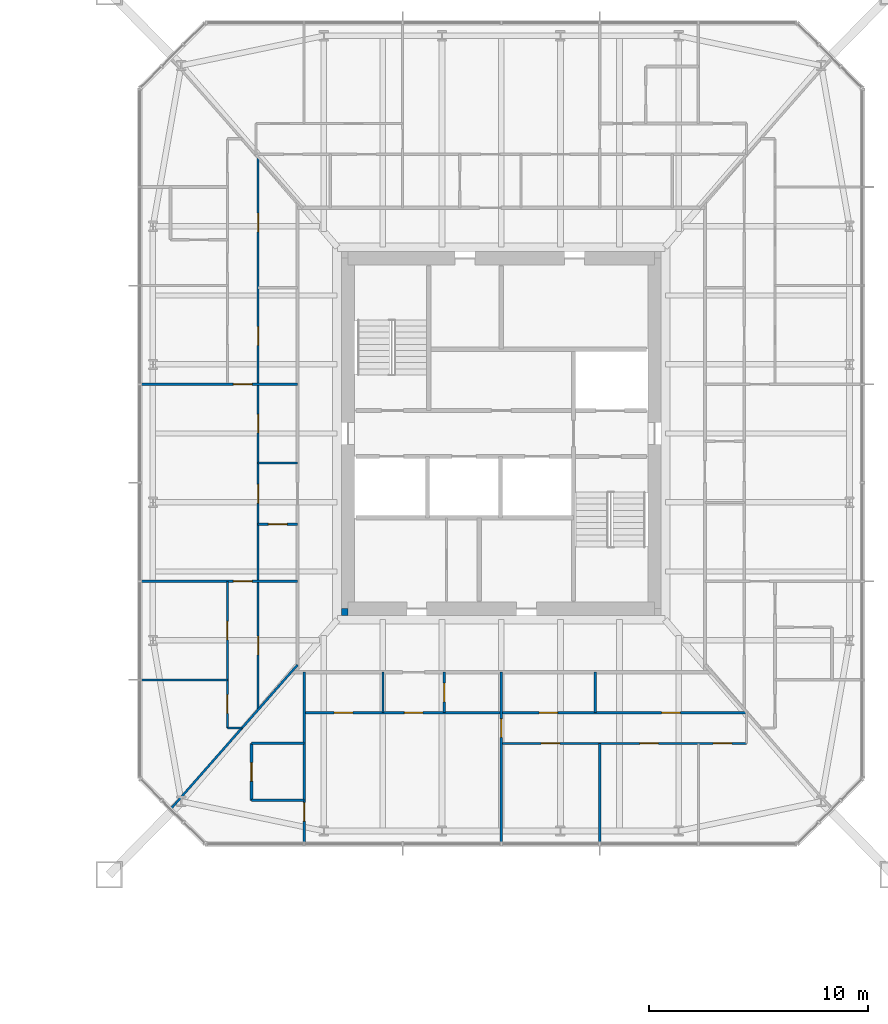
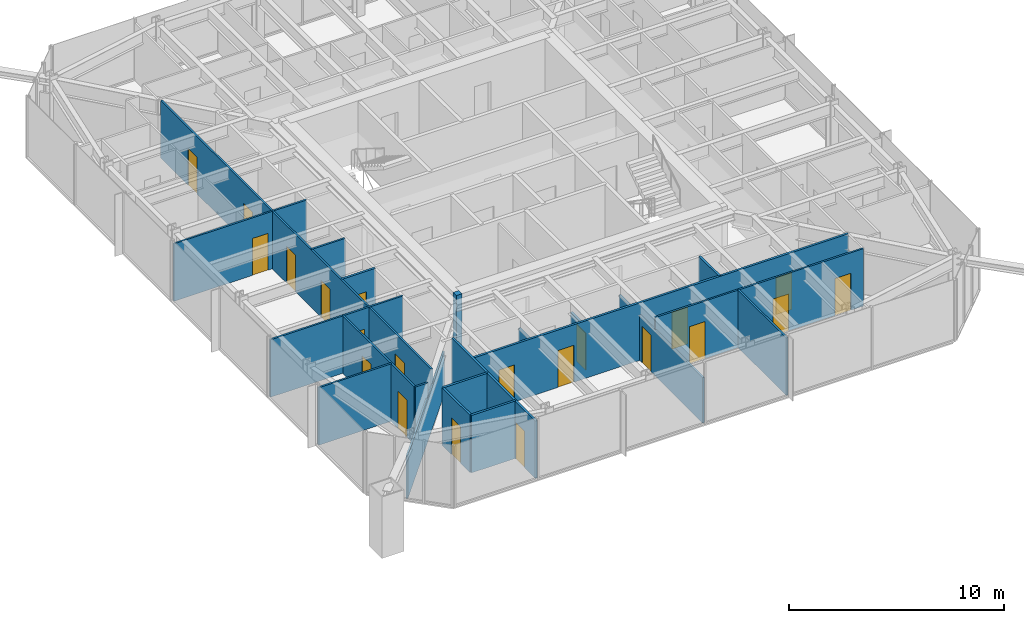
# One storey, part 18 of 26: 21 doors, 21 walls, 21 openings.
"""IFC4 building model written with IfcOpenShell, lengths in metres."""

from ifc_helpers import new_model, si_unit, direction, frame, frame_2d, origin, place, context, subcontext, project, spatial, rectangle, extrude, material, layer, layer_set, type_object, element, fill, save


model = new_model("IFC4")

# Units and contexts
model_context = context("Model", 3, precision=1e-05, world=origin(), true_north=direction((0.0, 1.0)))
body_context = subcontext(model_context, "Body", "Model", "MODEL_VIEW")
ifc_project = project(units=[si_unit("LENGTHUNIT", "METRE"), si_unit("AREAUNIT", "SQUARE_METRE"), si_unit("VOLUMEUNIT", "CUBIC_METRE"), si_unit("PLANEANGLEUNIT", "RADIAN"), si_unit("MASSUNIT", "GRAM", prefix="KILO")], contexts=[model_context])

# Site, building, storey
site_placement = place(None, origin())
site = spatial("IfcSite", under=ifc_project, at=site_placement, CompositionType="ELEMENT")
building_placement = place(site_placement, origin())
building = spatial("IfcBuilding", under=site, at=building_placement, Name="Iwan Alto Co-Living Towers", CompositionType="ELEMENT")
storey_placement = place(building_placement, frame((0.0, 0.0, 18.5)))
storey = spatial("IfcBuildingStorey", under=building, at=storey_placement, Name="L04", CompositionType="ELEMENT", Elevation=18.5)

# Wall, openings, doors
ifc_material_1 = material(Name="Gypsum board")
ifc_layer_1 = layer(ifc_material_1, 0.012451171875, Name="Board", Category="Finish")
ifc_material_2 = material(Name="Steel ASTM A1003 ST33H cold-formed studs", Category="steel")
ifc_layer_2 = layer(ifc_material_2, 0.074951171875, Name="Studs", Category="Framing")
ifc_layer_3 = layer(ifc_material_1, 0.012451171875, Name="Board", Category="Finish")
ifc_layer_set_1 = layer_set([ifc_layer_1, ifc_layer_2, ifc_layer_3], Name="PARTITION 100")
wall_type_1 = type_object("IfcWallType", Name="PARTITION 100", PredefinedType="PARTITIONING", material=ifc_layer_set_1)
wall_1_placement = place(storey_placement, frame((63.0, -14.14990234375, 0.0), z_axis=(0.0, 0.0, 1.0), x_axis=(1.0, 0.0, 0.0)))
wall_1 = element("IfcWall", 1, at=wall_1_placement, inside=storey, type_object=wall_type_1, Name="Partition L04", PredefinedType="PARTITIONING", context=body_context, shape_type="SweptSolid", body=[
    extrude(rectangle(XDim=11.199951171875, YDim=0.10009765625, at=frame_2d((5.60009765625, 0.0))), origin(), (0.0, 0.0, 1.0), 3.27001953125),
])
opening_1_placement = place(wall_1_placement, frame((1.824951171875, 0.0, 0.0)))
opening_1 = element("IfcOpeningElement", 2, at=opening_1_placement, cuts=wall_1, Name="Opening D2", PredefinedType="OPENING", context=body_context, shape_type="SweptSolid", body=[
    extrude(rectangle(XDim=0.85009765625, YDim=2.10009765625, at=frame_2d((0.425048828125, 1.050048828125))), frame((0.0, 0.06005859375, 0.0), z_axis=(0.0, -1.0, 0.0), x_axis=(1.0, 0.0, 0.0)), (0.0, 0.0, 1.0), 0.1201171875),
])
opening_2_placement = place(wall_1_placement, frame((6.324951171875, 0.0, 0.0)))
opening_2 = element("IfcOpeningElement", 3, at=opening_2_placement, cuts=wall_1, Name="Opening D2", PredefinedType="OPENING", context=body_context, shape_type="SweptSolid", body=[
    extrude(rectangle(XDim=0.85009765625, YDim=2.10009765625, at=frame_2d((0.425048828125, 1.050048828125))), frame((0.0, 0.06005859375, 0.0), z_axis=(0.0, -1.0, 0.0), x_axis=(1.0, 0.0, 0.0)), (0.0, 0.0, 1.0), 0.1201171875),
])
opening_3_placement = place(wall_1_placement, frame((9.675048828125, 0.0, 0.0)))
opening_3 = element("IfcOpeningElement", 4, at=opening_3_placement, cuts=wall_1, Name="Opening D2", PredefinedType="OPENING", context=body_context, shape_type="SweptSolid", body=[
    extrude(rectangle(XDim=0.85009765625, YDim=2.10009765625, at=frame_2d((0.425048828125, 1.050048828125))), frame((0.0, 0.06005859375, 0.0), z_axis=(0.0, -1.0, 0.0), x_axis=(1.0, 0.0, 0.0)), (0.0, 0.0, 1.0), 0.1201171875),
])
ifc_material_3 = material(Name="Timber leaf in steel frame", Category="steel")
door_type = type_object("IfcDoorType", Name="ROOM DOOR 850X2100", OperationType="SINGLE_SWING_LEFT", PredefinedType="DOOR", material=ifc_material_3)
door_1_placement = place(opening_1_placement, frame((0.85009765625, 0.0, 0.0), z_axis=(0.0, 0.0, 1.0), x_axis=(-1.0, 0.0, 0.0)))
door_1 = element("IfcDoor", 5, at=door_1_placement, inside=storey, type_object=door_type, Name="Bedroom door L04", OperationType="SINGLE_SWING_RIGHT", OverallHeight=2.10009765625, OverallWidth=0.85009765625, PredefinedType="DOOR", context=body_context, shape_type="SweptSolid", body=[
    extrude(rectangle(XDim=0.85009765625, YDim=2.10009765625, at=frame_2d((0.425048828125, 1.050048828125))), frame((0.0, 0.02490234375, 0.0), z_axis=(0.0, -1.0, 0.0), x_axis=(1.0, 0.0, 0.0)), (0.0, 0.0, 1.0), 0.050048828125),
])
fill(opening_1, door_1)
door_2_placement = place(opening_2_placement, frame((0.85009765625, 0.0, 0.0), z_axis=(0.0, 0.0, 1.0), x_axis=(-1.0, 0.0, 0.0)))
door_2 = element("IfcDoor", 6, at=door_2_placement, inside=storey, type_object=door_type, Name="Study door L04", OperationType="SINGLE_SWING_RIGHT", OverallHeight=2.10009765625, OverallWidth=0.85009765625, PredefinedType="DOOR", context=body_context, shape_type="SweptSolid", body=[
    extrude(rectangle(XDim=0.85009765625, YDim=2.10009765625, at=frame_2d((0.425048828125, 1.050048828125))), frame((0.0, 0.02490234375, 0.0), z_axis=(0.0, -1.0, 0.0), x_axis=(1.0, 0.0, 0.0)), (0.0, 0.0, 1.0), 0.050048828125),
])
fill(opening_2, door_2)
door_3_placement = place(opening_3_placement, frame((0.85009765625, 0.0, 0.0), z_axis=(0.0, 0.0, 1.0), x_axis=(-1.0, 0.0, 0.0)))
door_3 = element("IfcDoor", 7, at=door_3_placement, inside=storey, type_object=door_type, Name="Bedroom door L04", OperationType="SINGLE_SWING_RIGHT", OverallHeight=2.10009765625, OverallWidth=0.85009765625, PredefinedType="DOOR", context=body_context, shape_type="SweptSolid", body=[
    extrude(rectangle(XDim=0.85009765625, YDim=2.10009765625, at=frame_2d((0.425048828125, 1.050048828125))), frame((0.0, 0.02490234375, 0.0), z_axis=(0.0, -1.0, 0.0), x_axis=(1.0, 0.0, 0.0)), (0.0, 0.0, 1.0), 0.050048828125),
])
fill(opening_3, door_3)

# Walls
wall_2_placement = place(storey_placement, frame((50.5, -13.449951171875, 0.0), z_axis=(0.0, 0.0, 1.0), x_axis=(1.0, 0.0, 0.0)))
element("IfcWall", 8, at=wall_2_placement, inside=storey, type_object=wall_type_1, Name="Partition L04", PredefinedType="PARTITIONING", context=body_context, shape_type="SweptSolid", body=[
    extrude(rectangle(XDim=0.6640625, YDim=0.10009765625, at=frame_2d((0.33203125, 0.0))), origin(), (0.0, 0.0, 1.0), 3.27001953125),
])
wall_3_placement = place(storey_placement, frame((46.56005859375, -11.25, 0.0), z_axis=(0.0, 0.0, 1.0), x_axis=(1.0, 0.0, 0.0)))
element("IfcWall", 9, at=wall_3_placement, inside=storey, type_object=wall_type_1, Name="Partition L04", PredefinedType="PARTITIONING", context=body_context, shape_type="SweptSolid", body=[
    extrude(rectangle(XDim=3.93994140625, YDim=0.10009765625, at=frame_2d((1.969970703125, 0.0))), origin(), (0.0, 0.0, 1.0), 3.27001953125),
])

# Wall, opening, door
wall_4_placement = place(storey_placement, frame((46.56005859375, -6.75, 0.0), z_axis=(0.0, 0.0, 1.0), x_axis=(1.0, 0.0, 0.0)))
wall_4 = element("IfcWall", 10, at=wall_4_placement, inside=storey, type_object=wall_type_1, Name="Partition L04", PredefinedType="PARTITIONING", context=body_context, shape_type="SweptSolid", body=[
    extrude(rectangle(XDim=7.139892578125, YDim=0.10009765625, at=frame_2d((3.56982421875, 0.0))), origin(), (0.0, 0.0, 1.0), 3.27001953125),
])
opening_4_placement = place(wall_4_placement, frame((4.215087890625, 0.0, 0.0)))
opening_4 = element("IfcOpeningElement", 11, at=opening_4_placement, cuts=wall_4, Name="Opening D2", PredefinedType="OPENING", context=body_context, shape_type="SweptSolid", body=[
    extrude(rectangle(XDim=0.85009765625, YDim=2.10009765625, at=frame_2d((0.425048828125, 1.050048828125))), frame((0.0, 0.06005859375, 0.0), z_axis=(0.0, -1.0, 0.0), x_axis=(1.0, 0.0, 0.0)), (0.0, 0.0, 1.0), 0.1201171875),
])
door_4_placement = place(opening_4_placement, origin())
door_4 = element("IfcDoor", 12, at=door_4_placement, inside=storey, type_object=door_type, Name="Apartment hall door L04", OperationType="SINGLE_SWING_RIGHT", OverallHeight=2.10009765625, OverallWidth=0.85009765625, PredefinedType="DOOR", context=body_context, shape_type="SweptSolid", body=[
    extrude(rectangle(XDim=0.85009765625, YDim=2.10009765625, at=frame_2d((0.425048828125, 1.050048828125))), frame((0.0, 0.02490234375, 0.0), z_axis=(0.0, -1.0, 0.0), x_axis=(1.0, 0.0, 0.0)), (0.0, 0.0, 1.0), 0.050048828125),
])
fill(opening_4, door_4)

# Wall
wall_5_placement = place(storey_placement, frame((51.89990234375, -1.35009765625, 0.0), z_axis=(0.0, 0.0, 1.0), x_axis=(1.0, 0.0, 0.0)))
element("IfcWall", 13, at=wall_5_placement, inside=storey, type_object=wall_type_1, Name="Partition L04", PredefinedType="PARTITIONING", context=body_context, shape_type="SweptSolid", body=[
    extrude(rectangle(XDim=1.800048828125, YDim=0.10009765625, at=frame_2d((0.89990234375, 0.0))), origin(), (0.0, 0.0, 1.0), 3.27001953125),
])

# Wall, opening, door
wall_6_placement = place(storey_placement, frame((46.56005859375, 2.25, 0.0), z_axis=(0.0, 0.0, 1.0), x_axis=(1.0, 0.0, 0.0)))
wall_6 = element("IfcWall", 14, at=wall_6_placement, inside=storey, type_object=wall_type_1, Name="Partition L04", PredefinedType="PARTITIONING", context=body_context, shape_type="SweptSolid", body=[
    extrude(rectangle(XDim=7.139892578125, YDim=0.10009765625, at=frame_2d((3.56982421875, 0.0))), origin(), (0.0, 0.0, 1.0), 3.27001953125),
])
opening_5_placement = place(wall_6_placement, frame((4.215087890625, 0.0, 0.0)))
opening_5 = element("IfcOpeningElement", 15, at=opening_5_placement, cuts=wall_6, Name="Opening D2", PredefinedType="OPENING", context=body_context, shape_type="SweptSolid", body=[
    extrude(rectangle(XDim=0.85009765625, YDim=2.10009765625, at=frame_2d((0.425048828125, 1.050048828125))), frame((0.0, 0.06005859375, 0.0), z_axis=(0.0, -1.0, 0.0), x_axis=(1.0, 0.0, 0.0)), (0.0, 0.0, 1.0), 0.1201171875),
])
door_5_placement = place(opening_5_placement, frame((0.85009765625, 0.0, 0.0), z_axis=(0.0, 0.0, 1.0), x_axis=(-1.0, 0.0, 0.0)))
door_5 = element("IfcDoor", 16, at=door_5_placement, inside=storey, type_object=door_type, Name="Apartment hall door L04", OperationType="SINGLE_SWING_LEFT", OverallHeight=2.10009765625, OverallWidth=0.85009765625, PredefinedType="DOOR", context=body_context, shape_type="SweptSolid", body=[
    extrude(rectangle(XDim=0.85009765625, YDim=2.10009765625, at=frame_2d((0.425048828125, 1.050048828125))), frame((0.0, 0.02490234375, 0.0), z_axis=(0.0, -1.0, 0.0), x_axis=(1.0, 0.0, 0.0)), (0.0, 0.0, 1.0), 0.050048828125),
])
fill(opening_5, door_5)

# Walls
wall_7_placement = place(storey_placement, frame((47.944091796875, -17.10888671875, 0.0), z_axis=(0.0, 0.0, 1.0), x_axis=(0.660612734851, 0.750726857487, 0.0)))
element("IfcWall", 17, at=wall_7_placement, inside=storey, type_object=wall_type_1, Name="Partition L04", PredefinedType="PARTITIONING", context=body_context, shape_type="SweptSolid", body=[
    extrude(rectangle(XDim=8.712890625, YDim=0.10009765625, at=frame_2d((4.3564453125, 0.0))), origin(), (0.0, 0.0, 1.0), 2.42919921875),
])
wall_8_placement = place(storey_placement, frame((67.5, -18.68994140625, 0.0), z_axis=(0.0, 0.0, 1.0), x_axis=(0.0, 1.0, 0.0)))
element("IfcWall", 18, at=wall_8_placement, inside=storey, type_object=wall_type_1, Name="Partition L04", PredefinedType="PARTITIONING", context=body_context, shape_type="SweptSolid", body=[
    extrude(rectangle(XDim=4.5400390625, YDim=0.10009765625, at=frame_2d((2.27001953125, 0.0))), origin(), (0.0, 0.0, 1.0), 3.27001953125),
])

# Wall, opening, door
wall_9_placement = place(storey_placement, frame((63.0, -18.68994140625, 0.0), z_axis=(0.0, 0.0, 1.0), x_axis=(0.0, 1.0, 0.0)))
wall_9 = element("IfcWall", 19, at=wall_9_placement, inside=storey, type_object=wall_type_1, Name="Partition L04", PredefinedType="PARTITIONING", context=body_context, shape_type="SweptSolid", body=[
    extrude(rectangle(XDim=7.7900390625, YDim=0.10009765625, at=frame_2d((3.89501953125, 0.0))), origin(), (0.0, 0.0, 1.0), 2.586669921875),
])
opening_6_placement = place(wall_9_placement, frame((4.81494140625, 0.0, 0.0)))
opening_6 = element("IfcOpeningElement", 20, at=opening_6_placement, cuts=wall_9, Name="Opening D2", PredefinedType="OPENING", context=body_context, shape_type="SweptSolid", body=[
    extrude(rectangle(XDim=0.85009765625, YDim=2.10009765625, at=frame_2d((0.425048828125, 1.050048828125))), frame((0.0, 0.06005859375, 0.0), z_axis=(0.0, -1.0, 0.0), x_axis=(1.0, 0.0, 0.0)), (0.0, 0.0, 1.0), 0.1201171875),
])
door_6_placement = place(opening_6_placement, origin())
door_6 = element("IfcDoor", 21, at=door_6_placement, inside=storey, type_object=door_type, Name="Apartment hall door L04", OperationType="SINGLE_SWING_RIGHT", OverallHeight=2.10009765625, OverallWidth=0.85009765625, PredefinedType="DOOR", context=body_context, shape_type="SweptSolid", body=[
    extrude(rectangle(XDim=0.85009765625, YDim=2.10009765625, at=frame_2d((0.425048828125, 1.050048828125))), frame((0.0, 0.02490234375, 0.0), z_axis=(0.0, -1.0, 0.0), x_axis=(1.0, 0.0, 0.0)), (0.0, 0.0, 1.0), 0.050048828125),
])
fill(opening_6, door_6)

# Wall
wall_10_placement = place(storey_placement, frame((57.60009765625, -12.75, 0.0), z_axis=(0.0, 0.0, 1.0), x_axis=(0.0, 1.0, 0.0)))
element("IfcWall", 22, at=wall_10_placement, inside=storey, type_object=wall_type_1, Name="Partition L04", PredefinedType="PARTITIONING", context=body_context, shape_type="SweptSolid", body=[
    extrude(rectangle(XDim=1.85009765625, YDim=0.10009765625, at=frame_2d((0.925048828125, 0.0))), origin(), (0.0, 0.0, 1.0), 2.586669921875),
])

# Wall, openings, doors
wall_11_placement = place(storey_placement, frame((51.89990234375, -12.614013671875, 0.0), z_axis=(0.0, 0.0, 1.0), x_axis=(0.0, 1.0, 0.0)))
wall_11 = element("IfcWall", 23, at=wall_11_placement, inside=storey, type_object=wall_type_1, Name="Partition L04", PredefinedType="PARTITIONING", context=body_context, shape_type="SweptSolid", body=[
    extrude(rectangle(XDim=25.22802734375, YDim=0.10009765625, at=frame_2d((12.614013671875, 0.0))), origin(), (0.0, 0.0, 1.0), 3.27001953125),
])
opening_7_placement = place(wall_11_placement, frame((12.638916015625, 0.0, 0.0)))
opening_7 = element("IfcOpeningElement", 24, at=opening_7_placement, cuts=wall_11, Name="Opening D2", PredefinedType="OPENING", context=body_context, shape_type="SweptSolid", body=[
    extrude(rectangle(XDim=0.85009765625, YDim=2.10009765625, at=frame_2d((0.425048828125, 1.050048828125))), frame((0.0, 0.06005859375, 0.0), z_axis=(0.0, -1.0, 0.0), x_axis=(1.0, 0.0, 0.0)), (0.0, 0.0, 1.0), 0.1201171875),
])
opening_8_placement = place(wall_11_placement, frame((9.43896484375, 0.0, 0.0)))
opening_8 = element("IfcOpeningElement", 25, at=opening_8_placement, cuts=wall_11, Name="Opening D2", PredefinedType="OPENING", context=body_context, shape_type="SweptSolid", body=[
    extrude(rectangle(XDim=0.85009765625, YDim=2.10009765625, at=frame_2d((0.425048828125, 1.050048828125))), frame((0.0, 0.06005859375, 0.0), z_axis=(0.0, -1.0, 0.0), x_axis=(1.0, 0.0, 0.0)), (0.0, 0.0, 1.0), 0.1201171875),
])
opening_9_placement = place(wall_11_placement, frame((16.638916015625, 0.0, 0.0)))
opening_9 = element("IfcOpeningElement", 26, at=opening_9_placement, cuts=wall_11, Name="Opening D2", PredefinedType="OPENING", context=body_context, shape_type="SweptSolid", body=[
    extrude(rectangle(XDim=0.85009765625, YDim=2.10009765625, at=frame_2d((0.425048828125, 1.050048828125))), frame((0.0, 0.06005859375, 0.0), z_axis=(0.0, -1.0, 0.0), x_axis=(1.0, 0.0, 0.0)), (0.0, 0.0, 1.0), 0.1201171875),
])
opening_10_placement = place(wall_11_placement, frame((21.821044921875, 0.0, 0.0)))
opening_10 = element("IfcOpeningElement", 27, at=opening_10_placement, cuts=wall_11, Name="Opening D2", PredefinedType="OPENING", context=body_context, shape_type="SweptSolid", body=[
    extrude(rectangle(XDim=0.85009765625, YDim=2.10009765625, at=frame_2d((0.425048828125, 1.050048828125))), frame((0.0, 0.06005859375, 0.0), z_axis=(0.0, -1.0, 0.0), x_axis=(1.0, 0.0, 0.0)), (0.0, 0.0, 1.0), 0.1201171875),
])
opening_11_placement = place(wall_11_placement, frame((2.507080078125, 0.0, 0.0)))
opening_11 = element("IfcOpeningElement", 28, at=opening_11_placement, cuts=wall_11, Name="Opening D2", PredefinedType="OPENING", context=body_context, shape_type="SweptSolid", body=[
    extrude(rectangle(XDim=0.85009765625, YDim=2.10009765625, at=frame_2d((0.425048828125, 1.050048828125))), frame((0.0, 0.06005859375, 0.0), z_axis=(0.0, -1.0, 0.0), x_axis=(1.0, 0.0, 0.0)), (0.0, 0.0, 1.0), 0.1201171875),
])
door_7_placement = place(opening_7_placement, origin())
door_7 = element("IfcDoor", 29, at=door_7_placement, inside=storey, type_object=door_type, Name="Kitchen door L04", OperationType="SINGLE_SWING_RIGHT", OverallHeight=2.10009765625, OverallWidth=0.85009765625, PredefinedType="DOOR", context=body_context, shape_type="SweptSolid", body=[
    extrude(rectangle(XDim=0.85009765625, YDim=2.10009765625, at=frame_2d((0.425048828125, 1.050048828125))), frame((0.0, 0.02490234375, 0.0), z_axis=(0.0, -1.0, 0.0), x_axis=(1.0, 0.0, 0.0)), (0.0, 0.0, 1.0), 0.050048828125),
])
fill(opening_7, door_7)
door_8_placement = place(opening_8_placement, origin())
door_8 = element("IfcDoor", 30, at=door_8_placement, inside=storey, type_object=door_type, Name="Apartment foyer door L04", OperationType="SINGLE_SWING_LEFT", OverallHeight=2.10009765625, OverallWidth=0.85009765625, PredefinedType="DOOR", context=body_context, shape_type="SweptSolid", body=[
    extrude(rectangle(XDim=0.85009765625, YDim=2.10009765625, at=frame_2d((0.425048828125, 1.050048828125))), frame((0.0, 0.02490234375, 0.0), z_axis=(0.0, -1.0, 0.0), x_axis=(1.0, 0.0, 0.0)), (0.0, 0.0, 1.0), 0.050048828125),
])
fill(opening_8, door_8)
door_9_placement = place(opening_9_placement, frame((0.85009765625, 0.0, 0.0), z_axis=(0.0, 0.0, 1.0), x_axis=(-1.0, 0.0, 0.0)))
door_9 = element("IfcDoor", 31, at=door_9_placement, inside=storey, type_object=door_type, Name="Utility room door L04", OperationType="SINGLE_SWING_RIGHT", OverallHeight=2.10009765625, OverallWidth=0.85009765625, PredefinedType="DOOR", context=body_context, shape_type="SweptSolid", body=[
    extrude(rectangle(XDim=0.85009765625, YDim=2.10009765625, at=frame_2d((0.425048828125, 1.050048828125))), frame((0.0, 0.02490234375, 0.0), z_axis=(0.0, -1.0, 0.0), x_axis=(1.0, 0.0, 0.0)), (0.0, 0.0, 1.0), 0.050048828125),
])
fill(opening_9, door_9)
door_10_placement = place(opening_10_placement, frame((0.85009765625, 0.0, 0.0), z_axis=(0.0, 0.0, 1.0), x_axis=(-1.0, 0.0, 0.0)))
door_10 = element("IfcDoor", 32, at=door_10_placement, inside=storey, type_object=door_type, Name="Store room door L04", OperationType="SINGLE_SWING_LEFT", OverallHeight=2.10009765625, OverallWidth=0.85009765625, PredefinedType="DOOR", context=body_context, shape_type="SweptSolid", body=[
    extrude(rectangle(XDim=0.85009765625, YDim=2.10009765625, at=frame_2d((0.425048828125, 1.050048828125))), frame((0.0, 0.02490234375, 0.0), z_axis=(0.0, -1.0, 0.0), x_axis=(1.0, 0.0, 0.0)), (0.0, 0.0, 1.0), 0.050048828125),
])
fill(opening_10, door_10)
door_11_placement = place(opening_11_placement, frame((0.85009765625, 0.0, 0.0), z_axis=(0.0, 0.0, 1.0), x_axis=(-1.0, 0.0, 0.0)))
door_11 = element("IfcDoor", 33, at=door_11_placement, inside=storey, type_object=door_type, Name="Utility room door L04", OperationType="SINGLE_SWING_RIGHT", OverallHeight=2.10009765625, OverallWidth=0.85009765625, PredefinedType="DOOR", context=body_context, shape_type="SweptSolid", body=[
    extrude(rectangle(XDim=0.85009765625, YDim=2.10009765625, at=frame_2d((0.425048828125, 1.050048828125))), frame((0.0, 0.02490234375, 0.0), z_axis=(0.0, -1.0, 0.0), x_axis=(1.0, 0.0, 0.0)), (0.0, 0.0, 1.0), 0.050048828125),
])
fill(opening_11, door_11)

wall_12_placement = place(storey_placement, frame((50.5, -13.449951171875, 0.0), z_axis=(0.0, 0.0, 1.0), x_axis=(0.0, 1.0, 0.0)))
wall_12 = element("IfcWall", 34, at=wall_12_placement, inside=storey, type_object=wall_type_1, Name="Partition L04", PredefinedType="PARTITIONING", context=body_context, shape_type="SweptSolid", body=[
    extrude(rectangle(XDim=6.699951171875, YDim=0.10009765625, at=frame_2d((3.35009765625, 0.0))), origin(), (0.0, 0.0, 1.0), 3.27001953125),
])
opening_12_placement = place(wall_12_placement, frame((4.02490234375, 0.0, 0.0)))
opening_12 = element("IfcOpeningElement", 35, at=opening_12_placement, cuts=wall_12, Name="Opening D2", PredefinedType="OPENING", context=body_context, shape_type="SweptSolid", body=[
    extrude(rectangle(XDim=0.85009765625, YDim=2.10009765625, at=frame_2d((0.425048828125, 1.050048828125))), frame((0.0, 0.06005859375, 0.0), z_axis=(0.0, -1.0, 0.0), x_axis=(1.0, 0.0, 0.0)), (0.0, 0.0, 1.0), 0.1201171875),
])
opening_13_placement = place(wall_12_placement, frame((0.675048828125, 0.0, 0.0)))
opening_13 = element("IfcOpeningElement", 36, at=opening_13_placement, cuts=wall_12, Name="Opening D2", PredefinedType="OPENING", context=body_context, shape_type="SweptSolid", body=[
    extrude(rectangle(XDim=0.85009765625, YDim=2.10009765625, at=frame_2d((0.425048828125, 1.050048828125))), frame((0.0, 0.06005859375, 0.0), z_axis=(0.0, -1.0, 0.0), x_axis=(1.0, 0.0, 0.0)), (0.0, 0.0, 1.0), 0.1201171875),
])
door_12_placement = place(opening_12_placement, origin())
door_12 = element("IfcDoor", 37, at=door_12_placement, inside=storey, type_object=door_type, Name="Bedroom door L04", OperationType="SINGLE_SWING_LEFT", OverallHeight=2.10009765625, OverallWidth=0.85009765625, PredefinedType="DOOR", context=body_context, shape_type="SweptSolid", body=[
    extrude(rectangle(XDim=0.85009765625, YDim=2.10009765625, at=frame_2d((0.425048828125, 1.050048828125))), frame((0.0, 0.02490234375, 0.0), z_axis=(0.0, -1.0, 0.0), x_axis=(1.0, 0.0, 0.0)), (0.0, 0.0, 1.0), 0.050048828125),
])
fill(opening_12, door_12)
door_13_placement = place(opening_13_placement, origin())
door_13 = element("IfcDoor", 38, at=door_13_placement, inside=storey, type_object=door_type, Name="Bedroom door L04", OperationType="SINGLE_SWING_RIGHT", OverallHeight=2.10009765625, OverallWidth=0.85009765625, PredefinedType="DOOR", context=body_context, shape_type="SweptSolid", body=[
    extrude(rectangle(XDim=0.85009765625, YDim=2.10009765625, at=frame_2d((0.425048828125, 1.050048828125))), frame((0.0, 0.02490234375, 0.0), z_axis=(0.0, -1.0, 0.0), x_axis=(1.0, 0.0, 0.0)), (0.0, 0.0, 1.0), 0.050048828125),
])
fill(opening_13, door_13)

# Walls
ifc_material_4 = material(Name="Concrete f'c 70 MPa", Category="concrete")
ifc_layer_4 = layer(ifc_material_4, 0.300048828125)
ifc_layer_set_2 = layer_set([ifc_layer_4], Name="T2 CORE CORNER FILL 300")
wall_type_2 = type_object("IfcWallType", Name="T2 CORE CORNER FILL 300", PredefinedType="SOLIDWALL", material=ifc_layer_set_2)
wall_13_placement = place(storey_placement, frame((55.699951171875, -8.14990234375, 0.0), z_axis=(0.0, 0.0, 1.0), x_axis=(1.0, 0.0, 0.0)))
element("IfcWall", 39, at=wall_13_placement, inside=storey, type_object=wall_type_2, Name="T2 core corner SW L04", PredefinedType="SOLIDWALL", context=body_context, shape_type="SweptSolid", body=[
    extrude(rectangle(XDim=0.300048828125, YDim=0.300048828125, at=frame_2d((0.14990234375, 0.0))), origin(), (0.0, 0.0, 1.0), 3.5),
])
ifc_material_5 = material(Name="Cement board")
ifc_layer_5 = layer(ifc_material_5, 0.012451171875, Name="Board", Category="Finish")
ifc_layer_6 = layer(ifc_material_2, 0.094970703125, Name="Studs", Category="Framing")
ifc_layer_7 = layer(ifc_material_5, 0.012451171875, Name="Board", Category="Finish")
ifc_layer_set_3 = layer_set([ifc_layer_5, ifc_layer_6, ifc_layer_7], Name="WET AREA PARTITION 120")
wall_type_3 = type_object("IfcWallType", Name="WET AREA PARTITION 120", PredefinedType="PARTITIONING", material=ifc_layer_set_3)
for number, where, z_axis, x_axis, name in (
    (40, (51.60009765625, -16.75, 0.0), (0.0, 0.0, 1.0), (1.0, 0.0, 0.0), "Partition L04"),
    (41, (51.60009765625, -14.14990234375, 0.0), (0.0, 0.0, 1.0), (1.0, 0.0, 0.0), "Partition L04"),
):
    element("IfcWall", number, at=place(storey_placement, frame(where, z_axis=z_axis, x_axis=x_axis)), inside=storey, type_object=wall_type_3, Name=name, PredefinedType="PARTITIONING", context=body_context, shape_type="SweptSolid", body=[
        extrude(rectangle(XDim=2.39990234375, YDim=0.1201171875, at=frame_2d((1.199951171875, 0.0))), origin(), (0.0, 0.0, 1.0), 3.27001953125),
    ])

# Wall, openings, doors
wall_14_placement = place(storey_placement, frame((54.0, -12.75, 0.0), z_axis=(0.0, 0.0, 1.0), x_axis=(1.0, 0.0, 0.0)))
wall_14 = element("IfcWall", 42, at=wall_14_placement, inside=storey, type_object=wall_type_3, Name="Partition L04", PredefinedType="PARTITIONING", context=body_context, shape_type="SweptSolid", body=[
    extrude(rectangle(XDim=20.199951171875, YDim=0.1201171875, at=frame_2d((10.10009765625, 0.0))), origin(), (0.0, 0.0, 1.0), 3.27001953125),
])
opening_14_placement = place(wall_14_placement, frame((1.375, 0.0, 0.0)))
opening_14 = element("IfcOpeningElement", 43, at=opening_14_placement, cuts=wall_14, Name="Opening D2", PredefinedType="OPENING", context=body_context, shape_type="SweptSolid", body=[
    extrude(rectangle(XDim=0.85009765625, YDim=2.10009765625, at=frame_2d((0.425048828125, 1.050048828125))), frame((0.0, 0.070068359375, 0.0), z_axis=(0.0, -1.0, 0.0), x_axis=(1.0, 0.0, 0.0)), (0.0, 0.0, 1.0), 0.14013671875),
])
opening_15_placement = place(wall_14_placement, frame((4.574951171875, 0.0, 0.0)))
opening_15 = element("IfcOpeningElement", 44, at=opening_15_placement, cuts=wall_14, Name="Opening D2", PredefinedType="OPENING", context=body_context, shape_type="SweptSolid", body=[
    extrude(rectangle(XDim=0.85009765625, YDim=2.10009765625, at=frame_2d((0.425048828125, 1.050048828125))), frame((0.0, 0.070068359375, 0.0), z_axis=(0.0, -1.0, 0.0), x_axis=(1.0, 0.0, 0.0)), (0.0, 0.0, 1.0), 0.14013671875),
])
opening_16_placement = place(wall_14_placement, frame((10.72509765625, 0.0, 0.0)))
opening_16 = element("IfcOpeningElement", 45, at=opening_16_placement, cuts=wall_14, Name="Opening D2", PredefinedType="OPENING", context=body_context, shape_type="SweptSolid", body=[
    extrude(rectangle(XDim=0.85009765625, YDim=2.10009765625, at=frame_2d((0.425048828125, 1.050048828125))), frame((0.0, 0.070068359375, 0.0), z_axis=(0.0, -1.0, 0.0), x_axis=(1.0, 0.0, 0.0)), (0.0, 0.0, 1.0), 0.14013671875),
])
opening_17_placement = place(wall_14_placement, frame((16.324951171875, 0.0, 0.0)))
opening_17 = element("IfcOpeningElement", 46, at=opening_17_placement, cuts=wall_14, Name="Opening D2", PredefinedType="OPENING", context=body_context, shape_type="SweptSolid", body=[
    extrude(rectangle(XDim=0.85009765625, YDim=2.10009765625, at=frame_2d((0.425048828125, 1.050048828125))), frame((0.0, 0.070068359375, 0.0), z_axis=(0.0, -1.0, 0.0), x_axis=(1.0, 0.0, 0.0)), (0.0, 0.0, 1.0), 0.14013671875),
])
door_14_placement = place(opening_14_placement, frame((0.85009765625, 0.0, 0.0), z_axis=(0.0, 0.0, 1.0), x_axis=(-1.0, 0.0, 0.0)))
door_14 = element("IfcDoor", 47, at=door_14_placement, inside=storey, type_object=door_type, Name="Kitchen door L04", OperationType="SINGLE_SWING_RIGHT", OverallHeight=2.10009765625, OverallWidth=0.85009765625, PredefinedType="DOOR", context=body_context, shape_type="SweptSolid", body=[
    extrude(rectangle(XDim=0.85009765625, YDim=2.10009765625, at=frame_2d((0.425048828125, 1.050048828125))), frame((0.0, 0.02490234375, 0.0), z_axis=(0.0, -1.0, 0.0), x_axis=(1.0, 0.0, 0.0)), (0.0, 0.0, 1.0), 0.050048828125),
])
fill(opening_14, door_14)
door_15_placement = place(opening_15_placement, frame((0.85009765625, 0.0, 0.0), z_axis=(0.0, 0.0, 1.0), x_axis=(-1.0, 0.0, 0.0)))
door_15 = element("IfcDoor", 48, at=door_15_placement, inside=storey, type_object=door_type, Name="Apartment foyer door L04", OperationType="SINGLE_SWING_LEFT", OverallHeight=2.10009765625, OverallWidth=0.85009765625, PredefinedType="DOOR", context=body_context, shape_type="SweptSolid", body=[
    extrude(rectangle(XDim=0.85009765625, YDim=2.10009765625, at=frame_2d((0.425048828125, 1.050048828125))), frame((0.0, 0.02490234375, 0.0), z_axis=(0.0, -1.0, 0.0), x_axis=(1.0, 0.0, 0.0)), (0.0, 0.0, 1.0), 0.050048828125),
])
fill(opening_15, door_15)
door_16_placement = place(opening_16_placement, origin())
door_16 = element("IfcDoor", 49, at=door_16_placement, inside=storey, type_object=door_type, Name="Utility room door L04", OperationType="SINGLE_SWING_LEFT", OverallHeight=2.10009765625, OverallWidth=0.85009765625, PredefinedType="DOOR", context=body_context, shape_type="SweptSolid", body=[
    extrude(rectangle(XDim=0.85009765625, YDim=2.10009765625, at=frame_2d((0.425048828125, 1.050048828125))), frame((0.0, 0.02490234375, 0.0), z_axis=(0.0, -1.0, 0.0), x_axis=(1.0, 0.0, 0.0)), (0.0, 0.0, 1.0), 0.050048828125),
])
fill(opening_16, door_16)
door_17_placement = place(opening_17_placement, origin())
door_17 = element("IfcDoor", 50, at=door_17_placement, inside=storey, type_object=door_type, Name="Store room door L04", OperationType="SINGLE_SWING_RIGHT", OverallHeight=2.10009765625, OverallWidth=0.85009765625, PredefinedType="DOOR", context=body_context, shape_type="SweptSolid", body=[
    extrude(rectangle(XDim=0.85009765625, YDim=2.10009765625, at=frame_2d((0.425048828125, 1.050048828125))), frame((0.0, 0.02490234375, 0.0), z_axis=(0.0, -1.0, 0.0), x_axis=(1.0, 0.0, 0.0)), (0.0, 0.0, 1.0), 0.050048828125),
])
fill(opening_17, door_17)

# Wall, opening, door
wall_15_placement = place(storey_placement, frame((51.89990234375, -4.14990234375, 0.0), z_axis=(0.0, 0.0, 1.0), x_axis=(1.0, 0.0, 0.0)))
wall_15 = element("IfcWall", 51, at=wall_15_placement, inside=storey, type_object=wall_type_3, Name="Partition L04", PredefinedType="PARTITIONING", context=body_context, shape_type="SweptSolid", body=[
    extrude(rectangle(XDim=1.800048828125, YDim=0.1201171875, at=frame_2d((0.89990234375, 0.0))), origin(), (0.0, 0.0, 1.0), 3.27001953125),
])
opening_18_placement = place(wall_15_placement, frame((0.47509765625, 0.0, 0.0)))
opening_18 = element("IfcOpeningElement", 52, at=opening_18_placement, cuts=wall_15, Name="Opening D2", PredefinedType="OPENING", context=body_context, shape_type="SweptSolid", body=[
    extrude(rectangle(XDim=0.85009765625, YDim=2.10009765625, at=frame_2d((0.425048828125, 1.050048828125))), frame((0.0, 0.070068359375, 0.0), z_axis=(0.0, -1.0, 0.0), x_axis=(1.0, 0.0, 0.0)), (0.0, 0.0, 1.0), 0.14013671875),
])
door_18_placement = place(opening_18_placement, frame((0.85009765625, 0.0, 0.0), z_axis=(0.0, 0.0, 1.0), x_axis=(-1.0, 0.0, 0.0)))
door_18 = element("IfcDoor", 53, at=door_18_placement, inside=storey, type_object=door_type, Name="Bathroom door L04", OperationType="SINGLE_SWING_RIGHT", OverallHeight=2.10009765625, OverallWidth=0.85009765625, PredefinedType="DOOR", context=body_context, shape_type="SweptSolid", body=[
    extrude(rectangle(XDim=0.85009765625, YDim=2.10009765625, at=frame_2d((0.425048828125, 1.050048828125))), frame((0.0, 0.02490234375, 0.0), z_axis=(0.0, -1.0, 0.0), x_axis=(1.0, 0.0, 0.0)), (0.0, 0.0, 1.0), 0.050048828125),
])
fill(opening_18, door_18)

# Wall
wall_16_placement = place(storey_placement, frame((67.300048828125, -12.75, 0.0), z_axis=(0.0, 0.0, 1.0), x_axis=(0.0, 1.0, 0.0)))
element("IfcWall", 54, at=wall_16_placement, inside=storey, type_object=wall_type_3, Name="Partition L04", PredefinedType="PARTITIONING", context=body_context, shape_type="SweptSolid", body=[
    extrude(rectangle(XDim=1.85009765625, YDim=0.1201171875, at=frame_2d((0.925048828125, 0.0))), origin(), (0.0, 0.0, 1.0), 3.27001953125),
])

# Wall, opening, door
wall_17_placement = place(storey_placement, frame((60.39990234375, -12.75, 0.0), z_axis=(0.0, 0.0, 1.0), x_axis=(0.0, 1.0, 0.0)))
wall_17 = element("IfcWall", 55, at=wall_17_placement, inside=storey, type_object=wall_type_3, Name="Partition L04", PredefinedType="PARTITIONING", context=body_context, shape_type="SweptSolid", body=[
    extrude(rectangle(XDim=1.85009765625, YDim=0.1201171875, at=frame_2d((0.925048828125, 0.0))), origin(), (0.0, 0.0, 1.0), 2.508056640625),
])
opening_19_placement = place(wall_17_placement, frame((0.5, 0.0, 0.0)))
opening_19 = element("IfcOpeningElement", 56, at=opening_19_placement, cuts=wall_17, Name="Opening D2", PredefinedType="OPENING", context=body_context, shape_type="SweptSolid", body=[
    extrude(rectangle(XDim=0.85009765625, YDim=2.10009765625, at=frame_2d((0.425048828125, 1.050048828125))), frame((0.0, 0.070068359375, 0.0), z_axis=(0.0, -1.0, 0.0), x_axis=(1.0, 0.0, 0.0)), (0.0, 0.0, 1.0), 0.14013671875),
])
door_19_placement = place(opening_19_placement, frame((0.85009765625, 0.0, 0.0), z_axis=(0.0, 0.0, 1.0), x_axis=(-1.0, 0.0, 0.0)))
door_19 = element("IfcDoor", 57, at=door_19_placement, inside=storey, type_object=door_type, Name="Bathroom door L04", OperationType="SINGLE_SWING_RIGHT", OverallHeight=2.10009765625, OverallWidth=0.85009765625, PredefinedType="DOOR", context=body_context, shape_type="SweptSolid", body=[
    extrude(rectangle(XDim=0.85009765625, YDim=2.10009765625, at=frame_2d((0.425048828125, 1.050048828125))), frame((0.0, 0.02490234375, 0.0), z_axis=(0.0, -1.0, 0.0), x_axis=(1.0, 0.0, 0.0)), (0.0, 0.0, 1.0), 0.050048828125),
])
fill(opening_19, door_19)

wall_18_placement = place(storey_placement, frame((54.0, -18.68994140625, 0.0), z_axis=(0.0, 0.0, 1.0), x_axis=(0.0, 1.0, 0.0)))
wall_18 = element("IfcWall", 58, at=wall_18_placement, inside=storey, type_object=wall_type_3, Name="Partition L04", PredefinedType="PARTITIONING", context=body_context, shape_type="SweptSolid", body=[
    extrude(rectangle(XDim=7.7900390625, YDim=0.1201171875, at=frame_2d((3.89501953125, 0.0))), origin(), (0.0, 0.0, 1.0), 3.27001953125),
])
opening_20_placement = place(wall_18_placement, frame((0.989990234375, 0.0, 0.0)))
opening_20 = element("IfcOpeningElement", 59, at=opening_20_placement, cuts=wall_18, Name="Opening D2", PredefinedType="OPENING", context=body_context, shape_type="SweptSolid", body=[
    extrude(rectangle(XDim=0.85009765625, YDim=2.10009765625, at=frame_2d((0.425048828125, 1.050048828125))), frame((0.0, 0.070068359375, 0.0), z_axis=(0.0, -1.0, 0.0), x_axis=(1.0, 0.0, 0.0)), (0.0, 0.0, 1.0), 0.14013671875),
])
door_20_placement = place(opening_20_placement, frame((0.85009765625, 0.0, 0.0), z_axis=(0.0, 0.0, 1.0), x_axis=(-1.0, 0.0, 0.0)))
door_20 = element("IfcDoor", 60, at=door_20_placement, inside=storey, type_object=door_type, Name="Bedroom door L04", OperationType="SINGLE_SWING_RIGHT", OverallHeight=2.10009765625, OverallWidth=0.85009765625, PredefinedType="DOOR", context=body_context, shape_type="SweptSolid", body=[
    extrude(rectangle(XDim=0.85009765625, YDim=2.10009765625, at=frame_2d((0.425048828125, 1.050048828125))), frame((0.0, 0.02490234375, 0.0), z_axis=(0.0, -1.0, 0.0), x_axis=(1.0, 0.0, 0.0)), (0.0, 0.0, 1.0), 0.050048828125),
])
fill(opening_20, door_20)

wall_19_placement = place(storey_placement, frame((51.60009765625, -16.75, 0.0), z_axis=(0.0, 0.0, 1.0), x_axis=(0.0, 1.0, 0.0)))
wall_19 = element("IfcWall", 61, at=wall_19_placement, inside=storey, type_object=wall_type_3, Name="Partition L04", PredefinedType="PARTITIONING", context=body_context, shape_type="SweptSolid", body=[
    extrude(rectangle(XDim=2.60009765625, YDim=0.1201171875, at=frame_2d((1.300048828125, 0.0))), origin(), (0.0, 0.0, 1.0), 3.27001953125),
])
opening_21_placement = place(wall_19_placement, frame((0.875, 0.0, 0.0)))
opening_21 = element("IfcOpeningElement", 62, at=opening_21_placement, cuts=wall_19, Name="Opening D2", PredefinedType="OPENING", context=body_context, shape_type="SweptSolid", body=[
    extrude(rectangle(XDim=0.85009765625, YDim=2.10009765625, at=frame_2d((0.425048828125, 1.050048828125))), frame((0.0, 0.070068359375, 0.0), z_axis=(0.0, -1.0, 0.0), x_axis=(1.0, 0.0, 0.0)), (0.0, 0.0, 1.0), 0.14013671875),
])
door_21_placement = place(opening_21_placement, origin())
door_21 = element("IfcDoor", 63, at=door_21_placement, inside=storey, type_object=door_type, Name="En-suite shower room door L04", OperationType="SINGLE_SWING_RIGHT", OverallHeight=2.10009765625, OverallWidth=0.85009765625, PredefinedType="DOOR", context=body_context, shape_type="SweptSolid", body=[
    extrude(rectangle(XDim=0.85009765625, YDim=2.10009765625, at=frame_2d((0.425048828125, 1.050048828125))), frame((0.0, 0.02490234375, 0.0), z_axis=(0.0, -1.0, 0.0), x_axis=(1.0, 0.0, 0.0)), (0.0, 0.0, 1.0), 0.050048828125),
])
fill(opening_21, door_21)

save(model, "model.ifc")
